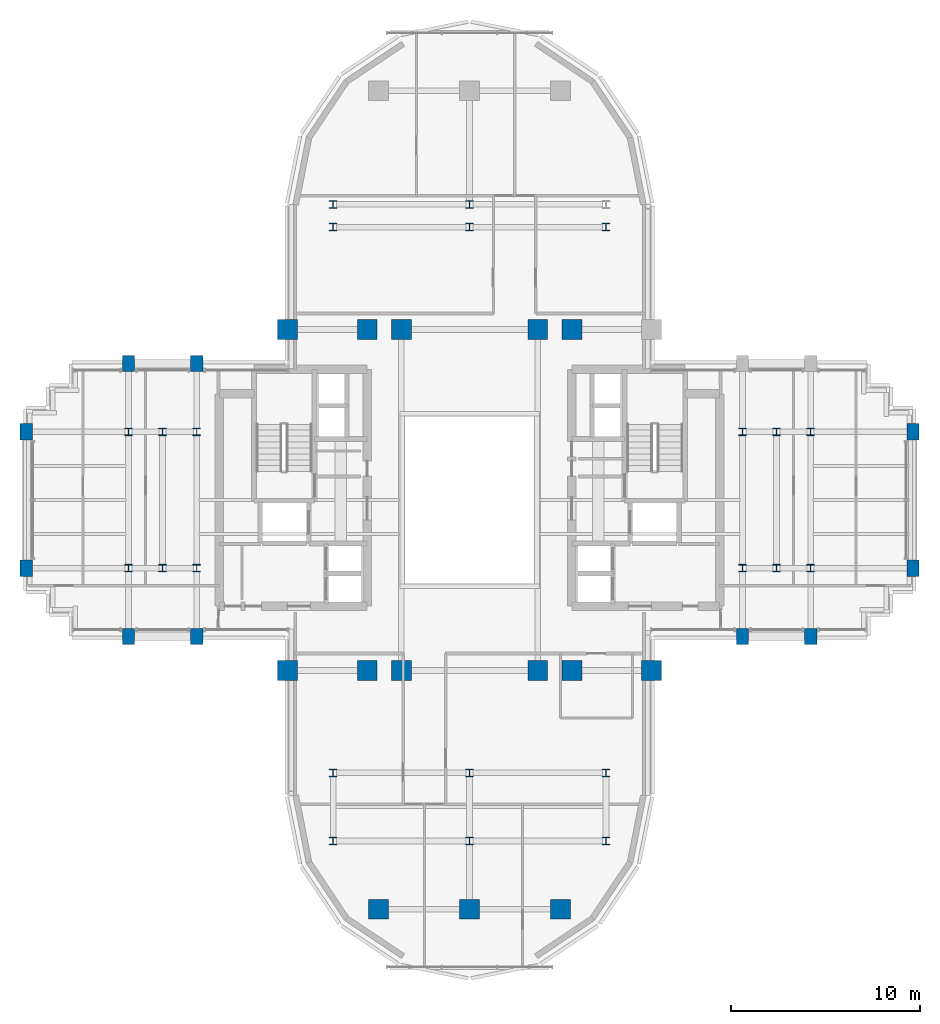
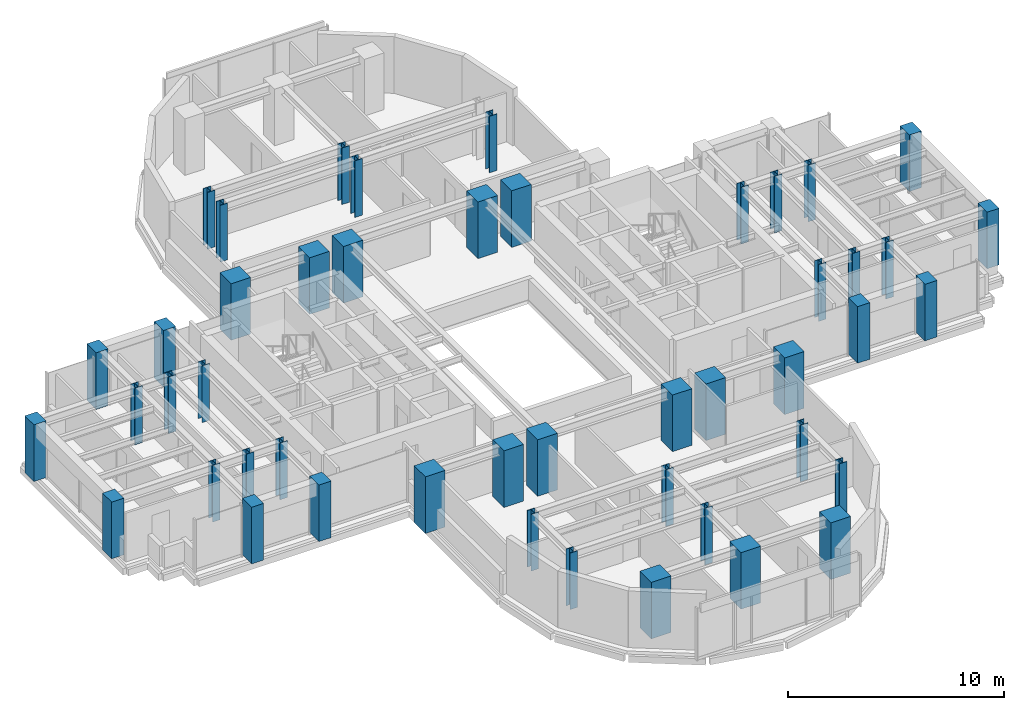
# One storey, part 1 of 14: 47 columns.
"""IFC4 building model written with IfcOpenShell, lengths in metres."""

from ifc_helpers import new_model, si_unit, direction, frame, origin, origin_2d, place, context, subcontext, project, spatial, rectangle, i_section, extrude, source, transform, mapped, material, material_profile, profile_set, type_object, element, save


model = new_model("IFC4")

# Units and contexts
model_context = context("Model", 3, precision=1e-05, world=origin(), true_north=direction((0.0, 1.0)))
body_context = subcontext(model_context, "Body", "Model", "MODEL_VIEW")
ifc_project = project(units=[si_unit("LENGTHUNIT", "METRE"), si_unit("AREAUNIT", "SQUARE_METRE"), si_unit("VOLUMEUNIT", "CUBIC_METRE"), si_unit("PLANEANGLEUNIT", "RADIAN"), si_unit("MASSUNIT", "GRAM", prefix="KILO")], contexts=[model_context])

# Site, building, storey
site_placement = place(None, origin())
site = spatial("IfcSite", under=ifc_project, at=site_placement, CompositionType="ELEMENT")
building_placement = place(site_placement, origin())
building = spatial("IfcBuilding", under=site, at=building_placement, Name="Keilestroom Media Tower", CompositionType="ELEMENT")
storey_placement = place(building_placement, frame((0.0, 0.0, 124.39990234375)))
storey = spatial("IfcBuildingStorey", under=building, at=storey_placement, Name="L33", CompositionType="ELEMENT", Elevation=124.39990234375)

# Columns
ifc_material_1 = material(Name="Precast concrete C40/50", Category="concrete")
ifc_material_profile_1 = material_profile(ifc_material_1, rectangle(XDim=0.64990234375, YDim=0.85009765625, at=origin_2d()), Name="PC 850x650")
ifc_profile_set_1 = profile_set([ifc_material_profile_1], Name="Precast concrete C40/50")
column_type_1 = type_object("IfcColumnType", Name="Structural-Column-PC-850x650", PredefinedType="COLUMN", material=ifc_profile_set_1)
shared_shape_1 = source(origin(), body_context, "Body", "SweptSolid", [
    extrude(rectangle(XDim=0.64990234375, YDim=0.85009765625, at=origin_2d()), origin(), (0.0, 0.0, 1.0), 3.2001953125),
])
for number, where, z_axis, x_axis, name in (
    (1, (-23.39990234375, -3.60009765625, 0.0), (0.0, 0.0, 1.0), (1.0, 0.0, 0.0), "L33 Column PC-2 (-23.4,-3.6)"),
    (2, (-23.39990234375, 3.60009765625, 0.0), (0.0, 0.0, 1.0), (1.0, 0.0, 0.0), "L33 Column PC-2 (-23.4,+3.6)"),
    (3, (-18.0, -7.199951171875, 0.0), (0.0, 0.0, 1.0), (1.0, 0.0, 0.0), "L33 Column PC-2 (-18.0,-7.2)"),
    (4, (-18.0, 7.199951171875, 0.0), (0.0, 0.0, 1.0), (1.0, 0.0, 0.0), "L33 Column PC-2 (-18.0,+7.2)"),
    (5, (-14.39990234375, -7.199951171875, 0.0), (0.0, 0.0, 1.0), (1.0, 0.0, 0.0), "L33 Column PC-2 (-14.4,-7.2)"),
    (6, (-14.39990234375, 7.199951171875, 0.0), (0.0, 0.0, 1.0), (1.0, 0.0, 0.0), "L33 Column PC-2 (-14.4,+7.2)"),
    (7, (14.39990234375, -7.199951171875, 0.0), (0.0, 0.0, 1.0), (1.0, 0.0, 0.0), "L33 Column PC-2 (+14.4,-7.2)"),
    (8, (18.0, -7.199951171875, 0.0), (0.0, 0.0, 1.0), (1.0, 0.0, 0.0), "L33 Column PC-2 (+18.0,-7.2)"),
    (9, (23.39990234375, -3.60009765625, 0.0), (0.0, 0.0, 1.0), (1.0, 0.0, 0.0), "L33 Column PC-2 (+23.4,-3.6)"),
    (10, (23.39990234375, 3.60009765625, 0.0), (0.0, 0.0, 1.0), (1.0, 0.0, 0.0), "L33 Column PC-2 (+23.4,+3.6)"),
):
    element("IfcColumn", number, at=place(storey_placement, frame(where, z_axis=z_axis, x_axis=x_axis)), inside=storey, type_object=column_type_1, Name=name, PredefinedType="COLUMN", context=body_context, shape_type="MappedRepresentation", body=[
        mapped(shared_shape_1, transform((0.0, 0.0, 0.0), x_axis=(1.0, 0.0, 0.0), y_axis=(0.0, 1.0, 0.0), z_axis=(0.0, 0.0, 1.0), scale=1.0)),
    ])
ifc_material_2 = material(Name="Steel S355", Category="steel")
ifc_material_profile_2 = material_profile(ifc_material_2, i_section(OverallWidth=0.40087890625, OverallDepth=0.39892578125, WebThickness=0.02001953125, FlangeThickness=0.031982421875, at=origin_2d()), Name="HD 400x314")
ifc_profile_set_2 = profile_set([ifc_material_profile_2], Name="Steel S355")
column_type_2 = type_object("IfcColumnType", Name="Structural-Column-HD-400x314", PredefinedType="COLUMN", material=ifc_profile_set_2)
shared_shape_2 = source(origin(), body_context, "Body", "SweptSolid", [
    extrude(i_section(OverallWidth=0.40087890625, OverallDepth=0.39892578125, WebThickness=0.02001953125, FlangeThickness=0.031982421875, at=origin_2d()), origin(), (0.0, 0.0, 1.0), 3.2001953125),
])
for number, where, z_axis, x_axis, name in (
    (11, (-18.0, -3.60009765625, 0.0), (0.0, 0.0, 1.0), (1.0, 0.0, 0.0), "L33 Column SC-3 (-18.0,-3.6)"),
    (12, (-18.0, 3.60009765625, 0.0), (0.0, 0.0, 1.0), (1.0, 0.0, 0.0), "L33 Column SC-3 (-18.0,+3.6)"),
    (13, (-16.199951171875, -3.60009765625, 0.0), (0.0, 0.0, 1.0), (1.0, 0.0, 0.0), "L33 Column SC-3 (-16.2,-3.6)"),
    (14, (-16.199951171875, 3.60009765625, 0.0), (0.0, 0.0, 1.0), (1.0, 0.0, 0.0), "L33 Column SC-3 (-16.2,+3.6)"),
    (15, (-14.39990234375, -3.60009765625, 0.0), (0.0, 0.0, 1.0), (1.0, 0.0, 0.0), "L33 Column SC-3 (-14.4,-3.6)"),
    (16, (-14.39990234375, 3.60009765625, 0.0), (0.0, 0.0, 1.0), (1.0, 0.0, 0.0), "L33 Column SC-3 (-14.4,+3.6)"),
    (17, (-7.199951171875, -18.0, 0.0), (0.0, 0.0, 1.0), (1.0, 0.0, 0.0), "L33 Column SC-3 (-7.2,-18.0)"),
    (18, (-7.199951171875, -14.39990234375, 0.0), (0.0, 0.0, 1.0), (1.0, 0.0, 0.0), "L33 Column SC-3 (-7.2,-14.4)"),
    (19, (-7.199951171875, 14.39990234375, 0.0), (0.0, 0.0, 1.0), (1.0, 0.0, 0.0), "L33 Column SC-3 (-7.2,+14.4)"),
    (20, (-7.199951171875, 15.60009765625, 0.0), (0.0, 0.0, 1.0), (1.0, 0.0, 0.0), "L33 Column SC-3 (-7.2,+15.6)"),
    (21, (0.0, -18.0, 0.0), (0.0, 0.0, 1.0), (1.0, 0.0, 0.0), "L33 Column SC-3 (+0.0,-18.0)"),
    (22, (0.0, -14.39990234375, 0.0), (0.0, 0.0, 1.0), (1.0, 0.0, 0.0), "L33 Column SC-3 (+0.0,-14.4)"),
    (23, (0.0, 14.39990234375, 0.0), (0.0, 0.0, 1.0), (1.0, 0.0, 0.0), "L33 Column SC-3 (+0.0,+14.4)"),
    (24, (0.0, 15.60009765625, 0.0), (0.0, 0.0, 1.0), (1.0, 0.0, 0.0), "L33 Column SC-3 (+0.0,+15.6)"),
    (25, (7.199951171875, -18.0, 0.0), (0.0, 0.0, 1.0), (1.0, 0.0, 0.0), "L33 Column SC-3 (+7.2,-18.0)"),
    (26, (7.199951171875, -14.39990234375, 0.0), (0.0, 0.0, 1.0), (1.0, 0.0, 0.0), "L33 Column SC-3 (+7.2,-14.4)"),
    (27, (7.199951171875, 14.39990234375, 0.0), (0.0, 0.0, 1.0), (1.0, 0.0, 0.0), "L33 Column SC-3 (+7.2,+14.4)"),
    (28, (14.39990234375, -3.60009765625, 0.0), (0.0, 0.0, 1.0), (1.0, 0.0, 0.0), "L33 Column SC-3 (+14.4,-3.6)"),
    (29, (14.39990234375, 3.60009765625, 0.0), (0.0, 0.0, 1.0), (1.0, 0.0, 0.0), "L33 Column SC-3 (+14.4,+3.6)"),
    (30, (16.199951171875, -3.60009765625, 0.0), (0.0, 0.0, 1.0), (1.0, 0.0, 0.0), "L33 Column SC-3 (+16.2,-3.6)"),
    (31, (16.199951171875, 3.60009765625, 0.0), (0.0, 0.0, 1.0), (1.0, 0.0, 0.0), "L33 Column SC-3 (+16.2,+3.6)"),
    (32, (18.0, -3.60009765625, 0.0), (0.0, 0.0, 1.0), (1.0, 0.0, 0.0), "L33 Column SC-3 (+18.0,-3.6)"),
    (33, (18.0, 3.60009765625, 0.0), (0.0, 0.0, 1.0), (1.0, 0.0, 0.0), "L33 Column SC-3 (+18.0,+3.6)"),
):
    element("IfcColumn", number, at=place(storey_placement, frame(where, z_axis=z_axis, x_axis=x_axis)), inside=storey, type_object=column_type_2, Name=name, PredefinedType="COLUMN", context=body_context, shape_type="MappedRepresentation", body=[
        mapped(shared_shape_2, transform((0.0, 0.0, 0.0), x_axis=(1.0, 0.0, 0.0), y_axis=(0.0, 1.0, 0.0), z_axis=(0.0, 0.0, 1.0), scale=1.0)),
    ])
ifc_material_3 = material(Name="Concrete C55/67", Category="concrete")
ifc_material_profile_3 = material_profile(ifc_material_3, rectangle(XDim=1.050048828125, YDim=1.050048828125, at=origin_2d()), Name="RC 1050x1050")
ifc_profile_set_3 = profile_set([ifc_material_profile_3], Name="Concrete C55/67")
column_type_3 = type_object("IfcColumnType", Name="Structural-Column-RC-1050x1050", PredefinedType="COLUMN", material=ifc_profile_set_3)
shared_shape_3 = source(origin(), body_context, "Body", "SweptSolid", [
    extrude(rectangle(XDim=1.050048828125, YDim=1.050048828125, at=origin_2d()), origin(), (0.0, 0.0, 1.0), 3.2001953125),
])
for number, where, z_axis, x_axis, name in (
    (34, (-9.60009765625, -9.0, 0.0), (0.0, 0.0, 1.0), (1.0, 0.0, 0.0), "L33 Column MC-3 (-9.6,-9.0)"),
    (35, (-9.60009765625, 9.0, 0.0), (0.0, 0.0, 1.0), (1.0, 0.0, 0.0), "L33 Column MC-3 (-9.6,+9.0)"),
    (36, (-5.39990234375, -9.0, 0.0), (0.0, 0.0, 1.0), (1.0, 0.0, 0.0), "L33 Column MC-3 (-5.4,-9.0)"),
    (37, (-5.39990234375, 9.0, 0.0), (0.0, 0.0, 1.0), (1.0, 0.0, 0.0), "L33 Column MC-3 (-5.4,+9.0)"),
    (38, (-4.800048828125, -21.60009765625, 0.0), (0.0, 0.0, 1.0), (1.0, 0.0, 0.0), "L33 Column MC-3 (-4.8,-21.6)"),
    (39, (-3.60009765625, -9.0, 0.0), (0.0, 0.0, 1.0), (1.0, 0.0, 0.0), "L33 Column MC-3 (-3.6,-9.0)"),
    (40, (-3.60009765625, 9.0, 0.0), (0.0, 0.0, 1.0), (1.0, 0.0, 0.0), "L33 Column MC-3 (-3.6,+9.0)"),
    (41, (0.0, -21.60009765625, 0.0), (0.0, 0.0, 1.0), (1.0, 0.0, 0.0), "L33 Column MC-3 (+0.0,-21.6)"),
    (42, (3.60009765625, -9.0, 0.0), (0.0, 0.0, 1.0), (1.0, 0.0, 0.0), "L33 Column MC-3 (+3.6,-9.0)"),
    (43, (3.60009765625, 9.0, 0.0), (0.0, 0.0, 1.0), (1.0, 0.0, 0.0), "L33 Column MC-3 (+3.6,+9.0)"),
    (44, (4.800048828125, -21.60009765625, 0.0), (0.0, 0.0, 1.0), (1.0, 0.0, 0.0), "L33 Column MC-3 (+4.8,-21.6)"),
    (45, (5.39990234375, -9.0, 0.0), (0.0, 0.0, 1.0), (1.0, 0.0, 0.0), "L33 Column MC-3 (+5.4,-9.0)"),
    (46, (5.39990234375, 9.0, 0.0), (0.0, 0.0, 1.0), (1.0, 0.0, 0.0), "L33 Column MC-3 (+5.4,+9.0)"),
    (47, (9.60009765625, -9.0, 0.0), (0.0, 0.0, 1.0), (1.0, 0.0, 0.0), "L33 Column MC-3 (+9.6,-9.0)"),
):
    element("IfcColumn", number, at=place(storey_placement, frame(where, z_axis=z_axis, x_axis=x_axis)), inside=storey, type_object=column_type_3, Name=name, PredefinedType="COLUMN", context=body_context, shape_type="MappedRepresentation", body=[
        mapped(shared_shape_3, transform((0.0, 0.0, 0.0), x_axis=(1.0, 0.0, 0.0), y_axis=(0.0, 1.0, 0.0), z_axis=(0.0, 0.0, 1.0), scale=1.0)),
    ])

save(model, "model.ifc")
